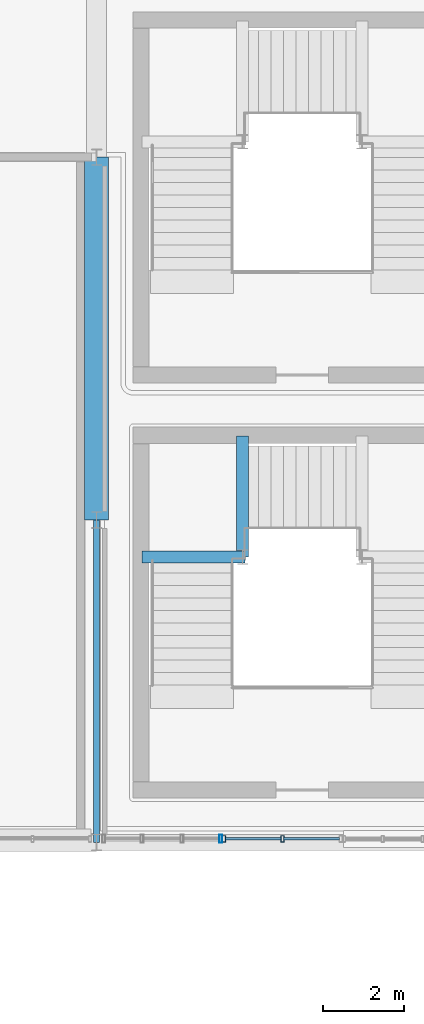
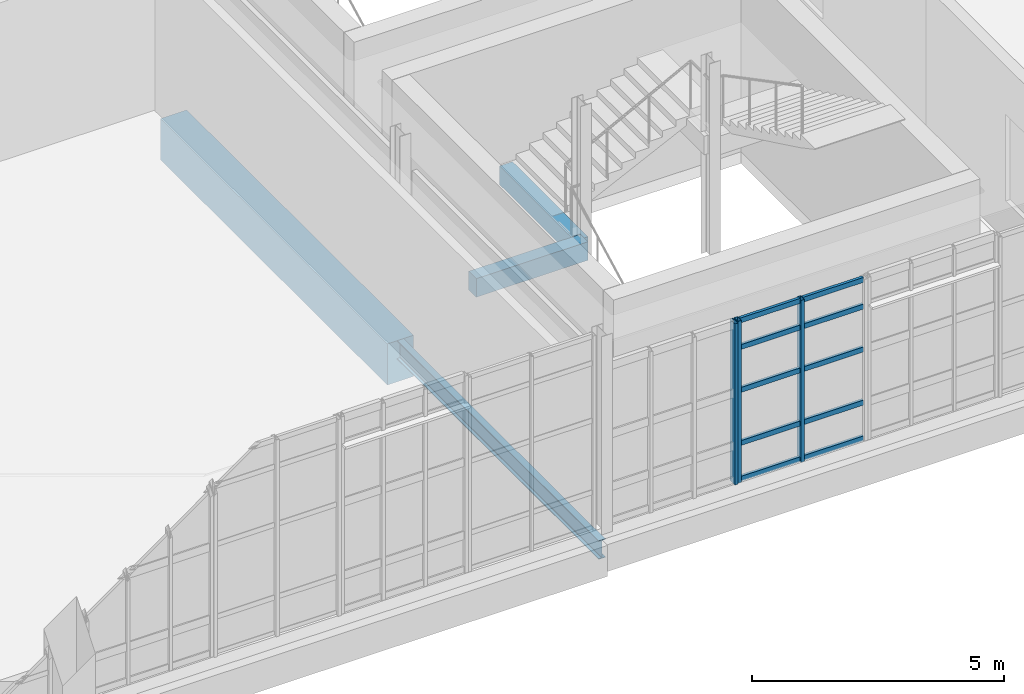
# One storey, part 72 of 127: 13 members, 4 beams, 2 elements without a shape of their own.
"""IFC4 building model written with IfcOpenShell, lengths in metres."""

from ifc_helpers import new_model, si_unit, derived_unit, direction, frame, origin, origin_2d, place, context, subcontext, project, spatial, rectangle, hollow_rectangle, i_section, extrude, material, layer, layer_set, material_profile, profile_set, type_object, element, aggregate, save


model = new_model("IFC4")

# Units and contexts
model_context = context("Model", 3, precision=1e-05, world=origin(), true_north=direction((0.0, 1.0)))
body_context = subcontext(model_context, "Body", "Model", "MODEL_VIEW")
ifc_project = project(units=[si_unit("LENGTHUNIT", "METRE"), si_unit("AREAUNIT", "SQUARE_METRE"), si_unit("VOLUMEUNIT", "CUBIC_METRE"), si_unit("PLANEANGLEUNIT", "RADIAN"), si_unit("MASSUNIT", "GRAM", prefix="KILO"), derived_unit("THERMALTRANSMITTANCEUNIT", [(si_unit("POWERUNIT", "WATT"), 1), (si_unit("LENGTHUNIT", "METRE"), -2), (si_unit("THERMODYNAMICTEMPERATUREUNIT", "KELVIN"), -1)])], contexts=[model_context])

# Site, building, storey
site_placement = place(None, origin())
site = spatial("IfcSite", under=ifc_project, at=site_placement, CompositionType="ELEMENT")
building_placement = place(site_placement, origin())
building = spatial("IfcBuilding", under=site, at=building_placement, Name="Nallur Shell Playhouse", CompositionType="ELEMENT")
storey_placement = place(building_placement, frame((0.0, 0.0, 5.39990234375)))
storey = spatial("IfcBuildingStorey", under=building, at=storey_placement, Name="L02", CompositionType="ELEMENT", Elevation=5.39990234375)

# Beams
ifc_material_1 = material(Name="Concrete M40", Category="concrete")
ifc_material_profile_1 = material_profile(ifc_material_1, rectangle(XDim=0.60009765625, YDim=1.0, at=origin_2d()), Name="RC 600x1000")
ifc_profile_set_1 = profile_set([ifc_material_profile_1], Name="Concrete M40")
beam_type_1 = type_object("IfcBeamType", Name="BM-RC-600x1000", PredefinedType="BEAM", material=ifc_profile_set_1)
beam_1_placement = place(storey_placement, frame((147.60009765625, 32.0, -0.77978515625), z_axis=(0.0, 1.0, 0.0), x_axis=(-1.0, 0.0, 0.0)))
element("IfcBeam", 1, at=beam_1_placement, inside=storey, type_object=beam_type_1, Name="L02 girder Y-18-460", PredefinedType="BEAM", context=body_context, shape_type="SweptSolid", body=[
    extrude(rectangle(XDim=0.60009765625, YDim=1.0, at=origin_2d()), origin(), (0.0, 0.0, 1.0), 9.0),
])
ifc_material_2 = material(Name="Concrete M35", Category="concrete")
ifc_material_profile_2 = material_profile(ifc_material_2, rectangle(XDim=0.300048828125, YDim=0.449951171875, at=origin_2d()), Name="RC 300x450")
ifc_profile_set_2 = profile_set([ifc_material_profile_2], Name="Concrete M35")
beam_type_2 = type_object("IfcBeamType", Name="BM-SPN-300x450", PredefinedType="SPANDREL", material=ifc_profile_set_2)
beam_2_placement = place(storey_placement, frame((148.719970703125, 31.080078125, 1.22509765625), z_axis=(1.0, 0.0, 0.0), x_axis=(0.0, 1.0, 0.0)))
element("IfcBeam", 2, at=beam_2_placement, inside=storey, type_object=beam_type_2, Name="Stair ST-08-L02 L1 south bearer beam", PredefinedType="SPANDREL", context=body_context, shape_type="SweptSolid", body=[
    extrude(rectangle(XDim=0.300048828125, YDim=0.449951171875, at=origin_2d()), origin(), (0.0, 0.0, 1.0), 2.56005859375),
])
beam_3_placement = place(storey_placement, frame((151.219970703125, 31.080078125, 1.22509765625), z_axis=(0.0, 1.0, 0.0), x_axis=(-1.0, 0.0, 0.0)))
element("IfcBeam", 3, at=beam_3_placement, inside=storey, type_object=beam_type_2, Name="Stair ST-08-L02 L1 east bearer beam", PredefinedType="SPANDREL", context=body_context, shape_type="SweptSolid", body=[
    extrude(rectangle(XDim=0.300048828125, YDim=0.449951171875, at=origin_2d()), origin(), (0.0, 0.0, 1.0), 3.0),
])
ifc_material_3 = material(Name="Steel E350", Category="steel")
ifc_material_profile_3 = material_profile(ifc_material_3, i_section(OverallWidth=0.14990234375, OverallDepth=0.449951171875, WebThickness=0.009521484375, FlangeThickness=0.017333984375, FilletRadius=0.014892578125, at=origin_2d()), Name="ISMB 450")
ifc_profile_set_3 = profile_set([ifc_material_profile_3], Name="Steel E350")
beam_type_3 = type_object("IfcBeamType", Name="BM-ST-ISMB450", PredefinedType="BEAM", material=ifc_profile_set_3)
beam_4_placement = place(storey_placement, frame((147.60009765625, 24.0, -0.5048828125), z_axis=(0.0, 1.0, 0.0), x_axis=(-1.0, 0.0, 0.0)))
element("IfcBeam", 4, at=beam_4_placement, inside=storey, type_object=beam_type_3, Name="L02 girder Y-18-459", PredefinedType="BEAM", context=body_context, shape_type="SweptSolid", body=[
    extrude(i_section(OverallWidth=0.14990234375, OverallDepth=0.449951171875, WebThickness=0.009521484375, FlangeThickness=0.017333984375, FilletRadius=0.014892578125, at=origin_2d()), origin(), (0.0, 0.0, 1.0), 8.0),
])

# Curtain wall, members
ifc_material_4 = material(Name="Anodised Aluminium Double-Glazed Facade System", Category="aluminium")
ifc_layer_1 = layer(ifc_material_4, 0.172119140625)
ifc_layer_set_1 = layer_set([ifc_layer_1], Name="Anodised Aluminium Double-Glazed Facade System")
curtain_wall_type_1 = type_object("IfcCurtainWallType", Name="CW-UNIT-09", PredefinedType="NOTDEFINED", material=ifc_layer_set_1)
curtain_wall_1_placement = place(storey_placement, origin())
curtain_wall_1 = element("IfcCurtainWall", 5, at=curtain_wall_1_placement, inside=storey, type_object=curtain_wall_type_1, Name="Unitised curtain wall CW-041 (L02)", PredefinedType="NOTDEFINED")
ifc_material_5 = material(Name="Aluminium Alloy 6063-T6 Mullion", Category="aluminium")
ifc_material_profile_4 = material_profile(ifc_material_5, hollow_rectangle(XDim=0.080078125, YDim=0.159912109375, WallThickness=0.006103515625, at=origin_2d()), Name="RHS 160x80x6")
ifc_profile_set_4 = profile_set([ifc_material_profile_4], Name="Aluminium Alloy 6063-T6 Mullion")
member_type_1 = type_object("IfcMemberType", Name="MB-CW-MUL150", PredefinedType="MULLION", material=ifc_profile_set_4)
member_1_placement = place(storey_placement, frame((152.208251953125, 24.090087890625, -0.014892578125), z_axis=(0.0, 0.0, 1.0), x_axis=(-1.0, 0.0, 0.0)))
member_1 = element("IfcMember", 6, at=member_1_placement, type_object=member_type_1, Name="CW-09 mullion 2", PredefinedType="MULLION", context=body_context, shape_type="SweptSolid", body=[
    extrude(hollow_rectangle(XDim=0.080078125, YDim=0.159912109375, WallThickness=0.006103515625, at=origin_2d()), origin(), (0.0, 0.0, 1.0), 3.924072265625),
])
member_2_placement = place(storey_placement, frame((150.761474609375, 24.090087890625, -0.014892578125), z_axis=(0.0, 0.0, 1.0), x_axis=(-1.0, 0.0, 0.0)))
member_2 = element("IfcMember", 7, at=member_2_placement, type_object=member_type_1, Name="CW-09 mullion 3", PredefinedType="MULLION", context=body_context, shape_type="SweptSolid", body=[
    extrude(hollow_rectangle(XDim=0.080078125, YDim=0.159912109375, WallThickness=0.006103515625, at=origin_2d()), origin(), (0.0, 0.0, 1.0), 3.924072265625),
])

# Curtain wall, member
ifc_layer_2 = layer(ifc_material_4, 0.176025390625)
ifc_layer_set_2 = layer_set([ifc_layer_2], Name="Anodised Aluminium Double-Glazed Facade System")
curtain_wall_type_2 = type_object("IfcCurtainWallType", Name="CW-UNIT-10", PredefinedType="NOTDEFINED", material=ifc_layer_set_2)
curtain_wall_2_placement = place(storey_placement, origin())
curtain_wall_2 = element("IfcCurtainWall", 8, at=curtain_wall_2_placement, inside=storey, type_object=curtain_wall_type_2, Name="Unitised curtain wall CW-042 (L02)", PredefinedType="NOTDEFINED")
ifc_material_profile_5 = material_profile(ifc_material_5, hollow_rectangle(XDim=0.074951171875, YDim=0.199951171875, WallThickness=0.0048828125, at=origin_2d()), Name="ALU 75x200x5")
ifc_profile_set_5 = profile_set([ifc_material_profile_5], Name="Aluminium Alloy 6063-T6 Mullion")
member_type_2 = type_object("IfcMemberType", Name="MB-CW-MUL180", PredefinedType="MULLION", material=ifc_profile_set_5)
member_3_placement = place(storey_placement, frame((150.674072265625, 24.090087890625, -0.014892578125), z_axis=(0.0, 0.0, 1.0), x_axis=(-1.0, 0.0, 0.0)))
member_3 = element("IfcMember", 9, at=member_3_placement, type_object=member_type_2, Name="CW-10 mullion 1", PredefinedType="MULLION", context=body_context, shape_type="SweptSolid", body=[
    extrude(hollow_rectangle(XDim=0.074951171875, YDim=0.199951171875, WallThickness=0.0048828125, at=origin_2d()), origin(), (0.0, 0.0, 1.0), 3.904052734375),
])
aggregate(curtain_wall_2, [member_3])

# Member
ifc_material_6 = material(Name="Aluminium Alloy 6063-T6 Transom", Category="aluminium")
ifc_material_profile_6 = material_profile(ifc_material_6, hollow_rectangle(XDim=0.06494140625, YDim=0.1201171875, WallThickness=0.00390625, at=origin_2d()), Name="ALU 65x120x4")
ifc_profile_set_6 = profile_set([ifc_material_profile_6], Name="Aluminium Alloy 6063-T6 Transom")
member_type_3 = type_object("IfcMemberType", Name="MB-CW-TRN120", PredefinedType="USERDEFINED", material=ifc_profile_set_6)
member_4_placement = place(storey_placement, frame((153.623046875, 24.090087890625, 0.03271484375), z_axis=(-1.0, 0.0, 0.0), x_axis=(0.0, -1.0, 0.0)))
member_4 = element("IfcMember", 10, at=member_4_placement, type_object=member_type_3, Name="CW-09 transom 1.1", ObjectType="TRANSOM", PredefinedType="USERDEFINED", context=body_context, shape_type="SweptSolid", body=[
    extrude(hollow_rectangle(XDim=0.06494140625, YDim=0.1201171875, WallThickness=0.00390625, at=origin_2d()), origin(), (0.0, 0.0, 1.0), 1.3828125),
])

member_5_placement = place(storey_placement, frame((153.623046875, 24.090087890625, 0.900146484375), z_axis=(-1.0, 0.0, 0.0), x_axis=(0.0, -1.0, 0.0)))
member_5 = element("IfcMember", 11, at=member_5_placement, type_object=member_type_3, Name="CW-09 transom 1.2", ObjectType="TRANSOM", PredefinedType="USERDEFINED", context=body_context, shape_type="SweptSolid", body=[
    extrude(hollow_rectangle(XDim=0.06494140625, YDim=0.1201171875, WallThickness=0.00390625, at=origin_2d()), origin(), (0.0, 0.0, 1.0), 1.3828125),
])

member_6_placement = place(storey_placement, frame((153.623046875, 24.090087890625, 2.18701171875), z_axis=(-1.0, 0.0, 0.0), x_axis=(0.0, -1.0, 0.0)))
member_6 = element("IfcMember", 12, at=member_6_placement, type_object=member_type_3, Name="CW-09 transom 1.3", ObjectType="TRANSOM", PredefinedType="USERDEFINED", context=body_context, shape_type="SweptSolid", body=[
    extrude(hollow_rectangle(XDim=0.06494140625, YDim=0.1201171875, WallThickness=0.00390625, at=origin_2d()), origin(), (0.0, 0.0, 1.0), 1.3828125),
])

member_7_placement = place(storey_placement, frame((153.623046875, 24.090087890625, 3.22509765625), z_axis=(-1.0, 0.0, 0.0), x_axis=(0.0, -1.0, 0.0)))
member_7 = element("IfcMember", 13, at=member_7_placement, type_object=member_type_3, Name="CW-09 transom 1.4", ObjectType="TRANSOM", PredefinedType="USERDEFINED", context=body_context, shape_type="SweptSolid", body=[
    extrude(hollow_rectangle(XDim=0.06494140625, YDim=0.1201171875, WallThickness=0.00390625, at=origin_2d()), origin(), (0.0, 0.0, 1.0), 1.3828125),
])

member_8_placement = place(storey_placement, frame((153.623046875, 24.090087890625, 3.87255859375), z_axis=(-1.0, 0.0, 0.0), x_axis=(0.0, -1.0, 0.0)))
member_8 = element("IfcMember", 14, at=member_8_placement, type_object=member_type_3, Name="CW-09 transom 1.5", ObjectType="TRANSOM", PredefinedType="USERDEFINED", context=body_context, shape_type="SweptSolid", body=[
    extrude(hollow_rectangle(XDim=0.06494140625, YDim=0.1201171875, WallThickness=0.00390625, at=origin_2d()), origin(), (0.0, 0.0, 1.0), 1.3828125),
])

member_9_placement = place(storey_placement, frame((152.17626953125, 24.090087890625, 0.03271484375), z_axis=(-1.0, 0.0, 0.0), x_axis=(0.0, -1.0, 0.0)))
member_9 = element("IfcMember", 15, at=member_9_placement, type_object=member_type_3, Name="CW-09 transom 2.1", ObjectType="TRANSOM", PredefinedType="USERDEFINED", context=body_context, shape_type="SweptSolid", body=[
    extrude(hollow_rectangle(XDim=0.06494140625, YDim=0.1201171875, WallThickness=0.00390625, at=origin_2d()), origin(), (0.0, 0.0, 1.0), 1.3828125),
])

member_10_placement = place(storey_placement, frame((152.17626953125, 24.090087890625, 0.900146484375), z_axis=(-1.0, 0.0, 0.0), x_axis=(0.0, -1.0, 0.0)))
member_10 = element("IfcMember", 16, at=member_10_placement, type_object=member_type_3, Name="CW-09 transom 2.2", ObjectType="TRANSOM", PredefinedType="USERDEFINED", context=body_context, shape_type="SweptSolid", body=[
    extrude(hollow_rectangle(XDim=0.06494140625, YDim=0.1201171875, WallThickness=0.00390625, at=origin_2d()), origin(), (0.0, 0.0, 1.0), 1.3828125),
])

member_11_placement = place(storey_placement, frame((152.17626953125, 24.090087890625, 2.18701171875), z_axis=(-1.0, 0.0, 0.0), x_axis=(0.0, -1.0, 0.0)))
member_11 = element("IfcMember", 17, at=member_11_placement, type_object=member_type_3, Name="CW-09 transom 2.3", ObjectType="TRANSOM", PredefinedType="USERDEFINED", context=body_context, shape_type="SweptSolid", body=[
    extrude(hollow_rectangle(XDim=0.06494140625, YDim=0.1201171875, WallThickness=0.00390625, at=origin_2d()), origin(), (0.0, 0.0, 1.0), 1.3828125),
])

member_12_placement = place(storey_placement, frame((152.17626953125, 24.090087890625, 3.22509765625), z_axis=(-1.0, 0.0, 0.0), x_axis=(0.0, -1.0, 0.0)))
member_12 = element("IfcMember", 18, at=member_12_placement, type_object=member_type_3, Name="CW-09 transom 2.4", ObjectType="TRANSOM", PredefinedType="USERDEFINED", context=body_context, shape_type="SweptSolid", body=[
    extrude(hollow_rectangle(XDim=0.06494140625, YDim=0.1201171875, WallThickness=0.00390625, at=origin_2d()), origin(), (0.0, 0.0, 1.0), 1.3828125),
])

member_13_placement = place(storey_placement, frame((152.17626953125, 24.090087890625, 3.87255859375), z_axis=(-1.0, 0.0, 0.0), x_axis=(0.0, -1.0, 0.0)))
member_13 = element("IfcMember", 19, at=member_13_placement, type_object=member_type_3, Name="CW-09 transom 2.5", ObjectType="TRANSOM", PredefinedType="USERDEFINED", context=body_context, shape_type="SweptSolid", body=[
    extrude(hollow_rectangle(XDim=0.06494140625, YDim=0.1201171875, WallThickness=0.00390625, at=origin_2d()), origin(), (0.0, 0.0, 1.0), 1.3828125),
])

aggregate(curtain_wall_1, [member_1, member_2, member_4, member_5, member_6, member_7, member_8, member_9, member_10, member_11, member_12, member_13])

save(model, "model.ifc")
